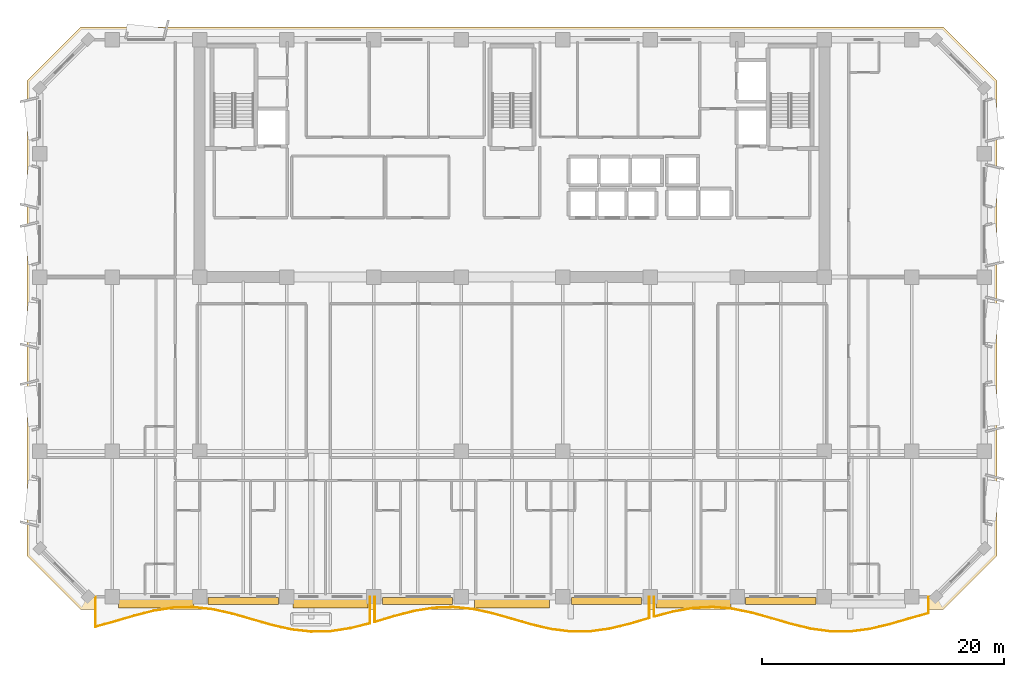
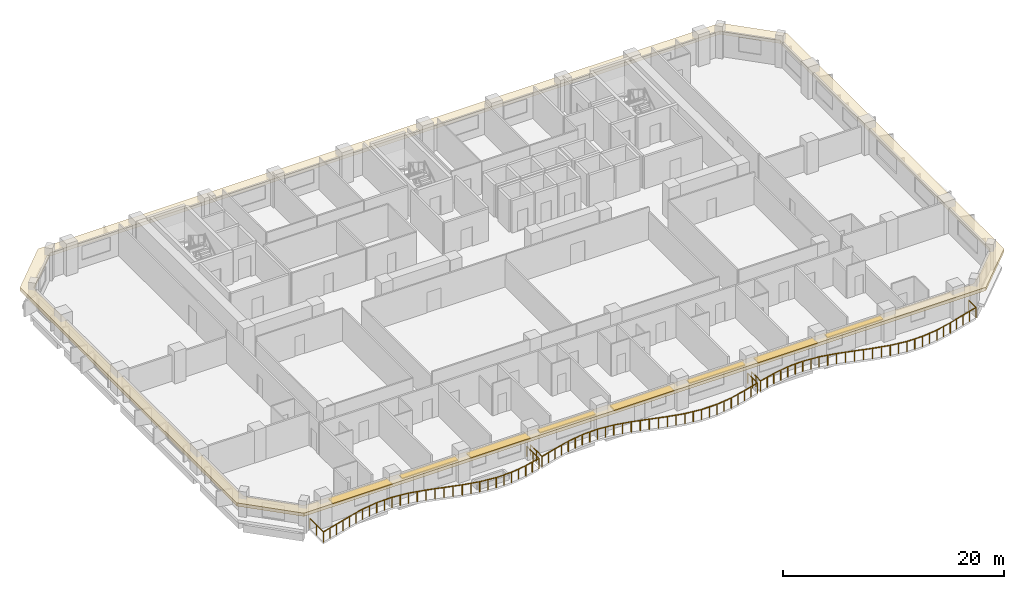
# One storey, part 11 of 15: 8 shading devices, 3 railings, 1 covering.
"""IFC4 building model written with IfcOpenShell, lengths in metres."""

from ifc_helpers import new_model, si_unit, direction, frame, origin, origin_2d, place, context, subcontext, project, spatial, polyline, rectangle, outline, extrude, material, layer, layer_set, type_object, element, save


model = new_model("IFC4")

# Units and contexts
model_context = context("Model", 3, precision=1e-05, world=origin(), true_north=direction((0.0, 1.0)))
body_context = subcontext(model_context, "Body", "Model", "MODEL_VIEW")
ifc_project = project(units=[si_unit("LENGTHUNIT", "METRE"), si_unit("AREAUNIT", "SQUARE_METRE"), si_unit("VOLUMEUNIT", "CUBIC_METRE"), si_unit("PLANEANGLEUNIT", "RADIAN"), si_unit("MASSUNIT", "GRAM", prefix="KILO")], contexts=[model_context])

# Site, building, storey
site_placement = place(None, origin())
site = spatial("IfcSite", under=ifc_project, at=site_placement, CompositionType="ELEMENT")
building_placement = place(site_placement, origin())
building = spatial("IfcBuilding", under=site, at=building_placement, Name="Kaelvorn Grand Hotel", CompositionType="ELEMENT")
storey_placement = place(building_placement, frame((0.0, 0.0, 150.550048828125)))
storey = spatial("IfcBuildingStorey", under=building, at=storey_placement, Name="L36", CompositionType="ELEMENT", Elevation=150.550048828125)

# Covering
ifc_material_1 = material(Name="Precast concrete C45/55", Category="concrete")
ifc_layer_1 = layer(ifc_material_1, 0.260009765625)
ifc_layer_set_1 = layer_set([ifc_layer_1], Name="Precast concrete C45/55")
covering_type = type_object("IfcCoveringType", Name="COV-BAND-STREAMLINE-HEAD", PredefinedType="CLADDING", material=ifc_layer_set_1)
covering_placement = place(storey_placement, frame((0.0, 0.0, 2.3798828125)))
element("IfcCovering", 1, at=covering_placement, inside=storey, type_object=covering_type, Name="L36 Streamline Moderne Wraparound Horizontal Eyebrow Band", PredefinedType="CLADDING", context=body_context, shape_type="SweptSolid", body=[
    extrude(outline(polyline([(6.389892578125, 1.949951171875), (77.610107421875, 1.949951171875), (82.050048828125, 6.389892578125), (82.050048828125, 45.610107421875), (77.610107421875, 50.050048828125), (6.389892578125, 50.050048828125), (1.949951171875, 45.610107421875), (1.949951171875, 6.389892578125), (6.389892578125, 1.949951171875)]), holes=[polyline([(7.02001953125, 3.030029296875), (76.97998046875, 3.030029296875), (80.969970703125, 7.02001953125), (80.969970703125, 44.97998046875), (76.97998046875, 48.969970703125), (7.02001953125, 48.969970703125), (3.030029296875, 44.97998046875), (3.030029296875, 7.02001953125), (7.02001953125, 3.030029296875)])]), origin(), (0.0, 0.0, 1.0), 0.360107421875),
])

# Railings
ifc_material_2 = material(Name="Stainless Steel", Category="steel")
railing_type = type_object("IfcRailingType", Name="RL-BALC-1150", PredefinedType="BALUSTRADE", material=ifc_material_2)
railing_1_placement = place(storey_placement, frame((7.60009765625, 3.0, 0.0)))
element("IfcRailing", 2, at=railing_1_placement, inside=storey, type_object=railing_type, Name="L36 Scalloped Wave Balcony Balustrade GR1-1", PredefinedType="BALUSTRADE", context=body_context, shape_type="SweptSolid", body=[
    extrude(rectangle(XDim=0.048095703125, YDim=0.048095703125, at=origin_2d()), frame((0.0, 0.0, 1.1259765625), z_axis=(0.0, -1.0, 0.0), x_axis=(1.0, 0.0, 0.0)), (0.0, 0.0, 1.0), 2.4775390625),
    extrude(rectangle(XDim=0.048095703125, YDim=0.048095703125, at=origin_2d()), frame((0.0, -2.4775390625, 1.1259765625), z_axis=(0.964706723911, 0.263326673244, 0.0), x_axis=(-0.263326673244, 0.964706723911, 0.0)), (0.0, 0.0, 1.0), 1.67822265625),
    extrude(rectangle(XDim=0.048095703125, YDim=0.048095703125, at=origin_2d()), frame((1.618896484375, -2.03564453125, 1.1259765625), z_axis=(0.959271015447, 0.282487378343, 0.0), x_axis=(-0.282487378343, 0.959271015447, 0.0)), (0.0, 0.0, 1.0), 1.68798828125),
    extrude(rectangle(XDim=0.048095703125, YDim=0.048095703125, at=origin_2d()), frame((3.238037109375, -1.558837890625, 1.1259765625), z_axis=(0.969684876745, 0.244358834119, 0.0), x_axis=(-0.244358834119, 0.969684876745, 0.0)), (0.0, 0.0, 1.0), 1.66943359375),
    extrude(rectangle(XDim=0.048095703125, YDim=0.048095703125, at=origin_2d()), frame((4.85693359375, -1.15087890625, 1.1259765625), z_axis=(0.988266376018, 0.152740204375, 0.0), x_axis=(-0.152740204375, 0.988266376018, 0.0)), (0.0, 0.0, 1.0), 1.638427734375),
    extrude(rectangle(XDim=0.048095703125, YDim=0.048095703125, at=origin_2d()), frame((6.47607421875, -0.900634765625, 1.1259765625), z_axis=(0.999719909885, 0.023666469519, 0.0), x_axis=(-0.023666469519, 0.999719909885, 0.0)), (0.0, 0.0, 1.0), 1.61962890625),
    extrude(rectangle(XDim=0.048095703125, YDim=0.048095703125, at=origin_2d()), frame((8.09521484375, -0.8623046875, 1.1259765625), z_axis=(0.993714448336, -0.111944607587, 0.0), x_axis=(0.111944607587, 0.993714448336, 0.0)), (0.0, 0.0, 1.0), 1.629150390625),
    extrude(rectangle(XDim=0.048095703125, YDim=0.048095703125, at=origin_2d()), frame((9.714111328125, -1.044677734375, 1.1259765625), z_axis=(0.975741913749, -0.218923999949, 0.0), x_axis=(0.218923999949, 0.975741913749, 0.0)), (0.0, 0.0, 1.0), 1.659423828125),
    extrude(rectangle(XDim=0.048095703125, YDim=0.048095703125, at=origin_2d()), frame((11.333251953125, -1.407958984375, 1.1259765625), z_axis=(0.961173148549, -0.275945970271, 0.0), x_axis=(0.275945970271, 0.961173148549, 0.0)), (0.0, 0.0, 1.0), 1.6845703125),
    extrude(rectangle(XDim=0.048095703125, YDim=0.048095703125, at=origin_2d()), frame((12.952392578125, -1.872802734375, 1.1259765625), z_axis=(0.961085178818, -0.276252201904, 0.0), x_axis=(0.276252201904, 0.961085178818, 0.0)), (0.0, 0.0, 1.0), 1.684326171875),
    extrude(rectangle(XDim=0.048095703125, YDim=0.048095703125, at=origin_2d()), frame((14.5712890625, -2.338134765625, 1.1259765625), z_axis=(0.975584547078, -0.219624205185, 0.0), x_axis=(0.219624205185, 0.975584547078, 0.0)), (0.0, 0.0, 1.0), 1.65966796875),
    extrude(rectangle(XDim=0.048095703125, YDim=0.048095703125, at=origin_2d()), frame((16.1904296875, -2.70263671875, 1.1259765625), z_axis=(0.993580397726, -0.113128215998, 0.0), x_axis=(0.113128215998, 0.993580397726, 0.0)), (0.0, 0.0, 1.0), 1.62939453125),
    extrude(rectangle(XDim=0.048095703125, YDim=0.048095703125, at=origin_2d()), frame((17.809326171875, -2.886962890625, 1.1259765625), z_axis=(0.999751090068, 0.022310488741, 0.0), x_axis=(-0.022310488741, 0.999751090068, 0.0)), (0.0, 0.0, 1.0), 1.61962890625),
    extrude(rectangle(XDim=0.048095703125, YDim=0.048095703125, at=origin_2d()), frame((19.428466796875, -2.850830078125, 1.1259765625), z_axis=(0.988423330197, 0.151721192723, 0.0), x_axis=(-0.151721192723, 0.988423330197, 0.0)), (0.0, 0.0, 1.0), 1.63818359375),
    extrude(rectangle(XDim=0.048095703125, YDim=0.048095703125, at=origin_2d()), frame((21.047607421875, -2.602294921875, 1.1259765625), z_axis=(0.969857916649, 0.243671133937, 0.0), x_axis=(-0.243671133937, 0.969857916649, 0.0)), (0.0, 0.0, 1.0), 1.669189453125),
    extrude(rectangle(XDim=0.048095703125, YDim=0.048095703125, at=origin_2d()), frame((22.66650390625, -2.195556640625, 1.1259765625), z_axis=(0.0, 1.0, 0.0), x_axis=(-1.0, 0.0, 0.0)), (0.0, 0.0, 1.0), 2.195556640625),
    extrude(rectangle(XDim=0.0419921875, YDim=0.0419921875, at=origin_2d()), origin(), (0.0, 0.0, 1.0), 1.101806640625),
    extrude(rectangle(XDim=0.0419921875, YDim=0.0419921875, at=origin_2d()), frame((0.0, -1.23876953125, 0.0)), (0.0, 0.0, 1.0), 1.101806640625),
    extrude(rectangle(XDim=0.0419921875, YDim=0.0419921875, at=origin_2d()), frame((0.0, -2.4775390625, 0.0)), (0.0, 0.0, 1.0), 1.101806640625),
    extrude(rectangle(XDim=0.0419921875, YDim=0.0419921875, at=origin_2d()), frame((0.8095703125, -2.256591796875, 0.0)), (0.0, 0.0, 1.0), 1.101806640625),
    extrude(rectangle(XDim=0.0419921875, YDim=0.0419921875, at=origin_2d()), frame((1.618896484375, -2.03564453125, 0.0)), (0.0, 0.0, 1.0), 1.101806640625),
    extrude(rectangle(XDim=0.0419921875, YDim=0.0419921875, at=origin_2d()), frame((2.428466796875, -1.79736328125, 0.0)), (0.0, 0.0, 1.0), 1.101806640625),
    extrude(rectangle(XDim=0.0419921875, YDim=0.0419921875, at=origin_2d()), frame((3.238037109375, -1.558837890625, 0.0)), (0.0, 0.0, 1.0), 1.101806640625),
    extrude(rectangle(XDim=0.0419921875, YDim=0.0419921875, at=origin_2d()), frame((4.04736328125, -1.35498046875, 0.0)), (0.0, 0.0, 1.0), 1.101806640625),
    extrude(rectangle(XDim=0.0419921875, YDim=0.0419921875, at=origin_2d()), frame((4.85693359375, -1.15087890625, 0.0)), (0.0, 0.0, 1.0), 1.101806640625),
    extrude(rectangle(XDim=0.0419921875, YDim=0.0419921875, at=origin_2d()), frame((5.66650390625, -1.02587890625, 0.0)), (0.0, 0.0, 1.0), 1.101806640625),
    extrude(rectangle(XDim=0.0419921875, YDim=0.0419921875, at=origin_2d()), frame((6.47607421875, -0.900634765625, 0.0)), (0.0, 0.0, 1.0), 1.101806640625),
    extrude(rectangle(XDim=0.0419921875, YDim=0.0419921875, at=origin_2d()), frame((7.28564453125, -0.88134765625, 0.0)), (0.0, 0.0, 1.0), 1.101806640625),
    extrude(rectangle(XDim=0.0419921875, YDim=0.0419921875, at=origin_2d()), frame((8.09521484375, -0.8623046875, 0.0)), (0.0, 0.0, 1.0), 1.101806640625),
    extrude(rectangle(XDim=0.0419921875, YDim=0.0419921875, at=origin_2d()), frame((8.90478515625, -0.95361328125, 0.0)), (0.0, 0.0, 1.0), 1.101806640625),
    extrude(rectangle(XDim=0.0419921875, YDim=0.0419921875, at=origin_2d()), frame((9.714111328125, -1.044677734375, 0.0)), (0.0, 0.0, 1.0), 1.101806640625),
    extrude(rectangle(XDim=0.0419921875, YDim=0.0419921875, at=origin_2d()), frame((10.523681640625, -1.226318359375, 0.0)), (0.0, 0.0, 1.0), 1.101806640625),
    extrude(rectangle(XDim=0.0419921875, YDim=0.0419921875, at=origin_2d()), frame((11.333251953125, -1.407958984375, 0.0)), (0.0, 0.0, 1.0), 1.101806640625),
    extrude(rectangle(XDim=0.0419921875, YDim=0.0419921875, at=origin_2d()), frame((12.142822265625, -1.640380859375, 0.0)), (0.0, 0.0, 1.0), 1.101806640625),
    extrude(rectangle(XDim=0.0419921875, YDim=0.0419921875, at=origin_2d()), frame((12.952392578125, -1.872802734375, 0.0)), (0.0, 0.0, 1.0), 1.101806640625),
    extrude(rectangle(XDim=0.0419921875, YDim=0.0419921875, at=origin_2d()), frame((13.76171875, -2.10546875, 0.0)), (0.0, 0.0, 1.0), 1.101806640625),
    extrude(rectangle(XDim=0.0419921875, YDim=0.0419921875, at=origin_2d()), frame((14.5712890625, -2.338134765625, 0.0)), (0.0, 0.0, 1.0), 1.101806640625),
    extrude(rectangle(XDim=0.0419921875, YDim=0.0419921875, at=origin_2d()), frame((15.380859375, -2.5205078125, 0.0)), (0.0, 0.0, 1.0), 1.101806640625),
    extrude(rectangle(XDim=0.0419921875, YDim=0.0419921875, at=origin_2d()), frame((16.1904296875, -2.70263671875, 0.0)), (0.0, 0.0, 1.0), 1.101806640625),
    extrude(rectangle(XDim=0.0419921875, YDim=0.0419921875, at=origin_2d()), frame((17.0, -2.794921875, 0.0)), (0.0, 0.0, 1.0), 1.101806640625),
    extrude(rectangle(XDim=0.0419921875, YDim=0.0419921875, at=origin_2d()), frame((17.809326171875, -2.886962890625, 0.0)), (0.0, 0.0, 1.0), 1.101806640625),
    extrude(rectangle(XDim=0.0419921875, YDim=0.0419921875, at=origin_2d()), frame((18.618896484375, -2.868896484375, 0.0)), (0.0, 0.0, 1.0), 1.101806640625),
    extrude(rectangle(XDim=0.0419921875, YDim=0.0419921875, at=origin_2d()), frame((19.428466796875, -2.850830078125, 0.0)), (0.0, 0.0, 1.0), 1.101806640625),
    extrude(rectangle(XDim=0.0419921875, YDim=0.0419921875, at=origin_2d()), frame((20.238037109375, -2.7265625, 0.0)), (0.0, 0.0, 1.0), 1.101806640625),
    extrude(rectangle(XDim=0.0419921875, YDim=0.0419921875, at=origin_2d()), frame((21.047607421875, -2.602294921875, 0.0)), (0.0, 0.0, 1.0), 1.101806640625),
    extrude(rectangle(XDim=0.0419921875, YDim=0.0419921875, at=origin_2d()), frame((21.85693359375, -2.39892578125, 0.0)), (0.0, 0.0, 1.0), 1.101806640625),
    extrude(rectangle(XDim=0.0419921875, YDim=0.0419921875, at=origin_2d()), frame((22.66650390625, -2.195556640625, 0.0)), (0.0, 0.0, 1.0), 1.101806640625),
    extrude(rectangle(XDim=0.0419921875, YDim=0.0419921875, at=origin_2d()), frame((22.66650390625, -1.09765625, 0.0)), (0.0, 0.0, 1.0), 1.101806640625),
    extrude(rectangle(XDim=0.0419921875, YDim=0.0419921875, at=origin_2d()), frame((22.66650390625, 0.0, 0.0)), (0.0, 0.0, 1.0), 1.101806640625),
])
railing_2_placement = place(storey_placement, frame((30.666748046875, 3.0, 0.0)))
element("IfcRailing", 3, at=railing_2_placement, inside=storey, type_object=railing_type, Name="L36 Scalloped Wave Balcony Balustrade GR1-2", PredefinedType="BALUSTRADE", context=body_context, shape_type="SweptSolid", body=[
    extrude(rectangle(XDim=0.048095703125, YDim=0.048095703125, at=origin_2d()), frame((0.0, 0.0, 1.1259765625), z_axis=(0.0, -1.0, 0.0), x_axis=(1.0, 0.0, 0.0)), (0.0, 0.0, 1.0), 2.080322265625),
    extrude(rectangle(XDim=0.048095703125, YDim=0.048095703125, at=origin_2d()), frame((0.0, -2.080322265625, 1.1259765625), z_axis=(0.959063249993, 0.283191953474, 0.0), x_axis=(-0.283191953474, 0.959063249993, 0.0)), (0.0, 0.0, 1.0), 1.68798828125),
    extrude(rectangle(XDim=0.048095703125, YDim=0.048095703125, at=origin_2d()), frame((1.618896484375, -1.602294921875, 1.1259765625), z_axis=(0.968153012553, 0.250359230478, 0.0), x_axis=(-0.250359230478, 0.968153012553, 0.0)), (0.0, 0.0, 1.0), 1.67236328125),
    extrude(rectangle(XDim=0.048095703125, YDim=0.048095703125, at=origin_2d()), frame((3.238037109375, -1.18359375, 1.1259765625), z_axis=(0.986570255456, 0.163337475949, 0.0), x_axis=(-0.163337475949, 0.986570255456, 0.0)), (0.0, 0.0, 1.0), 1.64111328125),
    extrude(rectangle(XDim=0.048095703125, YDim=0.048095703125, at=origin_2d()), frame((4.857177734375, -0.91552734375, 1.1259765625), z_axis=(0.999334712879, 0.036470969766, 0.0), x_axis=(-0.036470969766, 0.999334712879, 0.0)), (0.0, 0.0, 1.0), 1.619873046875),
    extrude(rectangle(XDim=0.048095703125, YDim=0.048095703125, at=origin_2d()), frame((6.47607421875, -0.8564453125, 1.1259765625), z_axis=(0.994995510951, -0.099919633639, 0.0), x_axis=(0.099919633639, 0.994995510951, 0.0)), (0.0, 0.0, 1.0), 1.627197265625),
    extrude(rectangle(XDim=0.048095703125, YDim=0.048095703125, at=origin_2d()), frame((8.09521484375, -1.01904296875, 1.1259765625), z_axis=(0.977557965922, -0.210666616393, 0.0), x_axis=(0.210666616393, 0.977557965922, 0.0)), (0.0, 0.0, 1.0), 1.656005859375),
    extrude(rectangle(XDim=0.048095703125, YDim=0.048095703125, at=origin_2d()), frame((9.714111328125, -1.367919921875, 1.1259765625), z_axis=(0.962015046514, -0.272996429062, 0.0), x_axis=(0.272996429062, 0.962015046514, 0.0)), (0.0, 0.0, 1.0), 1.68310546875),
    extrude(rectangle(XDim=0.048095703125, YDim=0.048095703125, at=origin_2d()), frame((11.333251953125, -1.827392578125, 1.1259765625), z_axis=(0.960401242625, -0.278620625876, 0.0), x_axis=(0.278620625876, 0.960401242625, 0.0)), (0.0, 0.0, 1.0), 1.685791015625),
    extrude(rectangle(XDim=0.048095703125, YDim=0.048095703125, at=origin_2d()), frame((12.952392578125, -2.297119140625, 1.1259765625), z_axis=(0.973816289073, -0.22733639202, 0.0), x_axis=(0.22733639202, 0.973816289073, 0.0)), (0.0, 0.0, 1.0), 1.662353515625),
    extrude(rectangle(XDim=0.048095703125, YDim=0.048095703125, at=origin_2d()), frame((14.5712890625, -2.675048828125, 1.1259765625), z_axis=(0.992185538276, -0.124771221188, 0.0), x_axis=(0.124771221188, 0.992185538276, 0.0)), (0.0, 0.0, 1.0), 1.6318359375),
    extrude(rectangle(XDim=0.048095703125, YDim=0.048095703125, at=origin_2d()), frame((16.1904296875, -2.878662109375, 1.1259765625), z_axis=(0.9999576899, 0.009198826585, 0.0), x_axis=(-0.009198826585, 0.9999576899, 0.0)), (0.0, 0.0, 1.0), 1.618896484375),
    extrude(rectangle(XDim=0.048095703125, YDim=0.048095703125, at=origin_2d()), frame((17.809326171875, -2.86376953125, 1.1259765625), z_axis=(0.9900626322, 0.140627110907, 0.0), x_axis=(-0.140627110907, 0.9900626322, 0.0)), (0.0, 0.0, 1.0), 1.635498046875),
    extrude(rectangle(XDim=0.048095703125, YDim=0.048095703125, at=origin_2d()), frame((19.428466796875, -2.6337890625, 1.1259765625), z_axis=(0.971438035801, 0.237293368214, 0.0), x_axis=(-0.237293368214, 0.971438035801, 0.0)), (0.0, 0.0, 1.0), 1.666748046875),
    extrude(rectangle(XDim=0.048095703125, YDim=0.048095703125, at=origin_2d()), frame((21.047607421875, -2.23828125, 1.1259765625), z_axis=(0.959650766176, 0.281194606949, 0.0), x_axis=(-0.281194606949, 0.959650766176, 0.0)), (0.0, 0.0, 1.0), 1.68701171875),
    extrude(rectangle(XDim=0.048095703125, YDim=0.048095703125, at=origin_2d()), frame((22.66650390625, -1.763916015625, 1.1259765625), z_axis=(0.0, 1.0, 0.0), x_axis=(-1.0, 0.0, 0.0)), (0.0, 0.0, 1.0), 1.763916015625),
    extrude(rectangle(XDim=0.0419921875, YDim=0.0419921875, at=origin_2d()), origin(), (0.0, 0.0, 1.0), 1.101806640625),
    extrude(rectangle(XDim=0.0419921875, YDim=0.0419921875, at=origin_2d()), frame((0.0, -1.0400390625, 0.0)), (0.0, 0.0, 1.0), 1.101806640625),
    extrude(rectangle(XDim=0.0419921875, YDim=0.0419921875, at=origin_2d()), frame((0.0, -2.080322265625, 0.0)), (0.0, 0.0, 1.0), 1.101806640625),
    extrude(rectangle(XDim=0.0419921875, YDim=0.0419921875, at=origin_2d()), frame((0.8095703125, -1.84130859375, 0.0)), (0.0, 0.0, 1.0), 1.101806640625),
    extrude(rectangle(XDim=0.0419921875, YDim=0.0419921875, at=origin_2d()), frame((1.618896484375, -1.602294921875, 0.0)), (0.0, 0.0, 1.0), 1.101806640625),
    extrude(rectangle(XDim=0.0419921875, YDim=0.0419921875, at=origin_2d()), frame((2.428466796875, -1.39306640625, 0.0)), (0.0, 0.0, 1.0), 1.101806640625),
    extrude(rectangle(XDim=0.0419921875, YDim=0.0419921875, at=origin_2d()), frame((3.238037109375, -1.18359375, 0.0)), (0.0, 0.0, 1.0), 1.101806640625),
    extrude(rectangle(XDim=0.0419921875, YDim=0.0419921875, at=origin_2d()), frame((4.047607421875, -1.049560546875, 0.0)), (0.0, 0.0, 1.0), 1.101806640625),
    extrude(rectangle(XDim=0.0419921875, YDim=0.0419921875, at=origin_2d()), frame((4.857177734375, -0.91552734375, 0.0)), (0.0, 0.0, 1.0), 1.101806640625),
    extrude(rectangle(XDim=0.0419921875, YDim=0.0419921875, at=origin_2d()), frame((5.66650390625, -0.885986328125, 0.0)), (0.0, 0.0, 1.0), 1.101806640625),
    extrude(rectangle(XDim=0.0419921875, YDim=0.0419921875, at=origin_2d()), frame((6.47607421875, -0.8564453125, 0.0)), (0.0, 0.0, 1.0), 1.101806640625),
    extrude(rectangle(XDim=0.0419921875, YDim=0.0419921875, at=origin_2d()), frame((7.28564453125, -0.937744140625, 0.0)), (0.0, 0.0, 1.0), 1.101806640625),
    extrude(rectangle(XDim=0.0419921875, YDim=0.0419921875, at=origin_2d()), frame((8.09521484375, -1.01904296875, 0.0)), (0.0, 0.0, 1.0), 1.101806640625),
    extrude(rectangle(XDim=0.0419921875, YDim=0.0419921875, at=origin_2d()), frame((8.90478515625, -1.193359375, 0.0)), (0.0, 0.0, 1.0), 1.101806640625),
    extrude(rectangle(XDim=0.0419921875, YDim=0.0419921875, at=origin_2d()), frame((9.714111328125, -1.367919921875, 0.0)), (0.0, 0.0, 1.0), 1.101806640625),
    extrude(rectangle(XDim=0.0419921875, YDim=0.0419921875, at=origin_2d()), frame((10.523681640625, -1.59765625, 0.0)), (0.0, 0.0, 1.0), 1.101806640625),
    extrude(rectangle(XDim=0.0419921875, YDim=0.0419921875, at=origin_2d()), frame((11.333251953125, -1.827392578125, 0.0)), (0.0, 0.0, 1.0), 1.101806640625),
    extrude(rectangle(XDim=0.0419921875, YDim=0.0419921875, at=origin_2d()), frame((12.142822265625, -2.062255859375, 0.0)), (0.0, 0.0, 1.0), 1.101806640625),
    extrude(rectangle(XDim=0.0419921875, YDim=0.0419921875, at=origin_2d()), frame((12.952392578125, -2.297119140625, 0.0)), (0.0, 0.0, 1.0), 1.101806640625),
    extrude(rectangle(XDim=0.0419921875, YDim=0.0419921875, at=origin_2d()), frame((13.76171875, -2.486083984375, 0.0)), (0.0, 0.0, 1.0), 1.101806640625),
    extrude(rectangle(XDim=0.0419921875, YDim=0.0419921875, at=origin_2d()), frame((14.5712890625, -2.675048828125, 0.0)), (0.0, 0.0, 1.0), 1.101806640625),
    extrude(rectangle(XDim=0.0419921875, YDim=0.0419921875, at=origin_2d()), frame((15.380859375, -2.77685546875, 0.0)), (0.0, 0.0, 1.0), 1.101806640625),
    extrude(rectangle(XDim=0.0419921875, YDim=0.0419921875, at=origin_2d()), frame((16.1904296875, -2.878662109375, 0.0)), (0.0, 0.0, 1.0), 1.101806640625),
    extrude(rectangle(XDim=0.0419921875, YDim=0.0419921875, at=origin_2d()), frame((17.0, -2.87109375, 0.0)), (0.0, 0.0, 1.0), 1.101806640625),
    extrude(rectangle(XDim=0.0419921875, YDim=0.0419921875, at=origin_2d()), frame((17.809326171875, -2.86376953125, 0.0)), (0.0, 0.0, 1.0), 1.101806640625),
    extrude(rectangle(XDim=0.0419921875, YDim=0.0419921875, at=origin_2d()), frame((18.618896484375, -2.748779296875, 0.0)), (0.0, 0.0, 1.0), 1.101806640625),
    extrude(rectangle(XDim=0.0419921875, YDim=0.0419921875, at=origin_2d()), frame((19.428466796875, -2.6337890625, 0.0)), (0.0, 0.0, 1.0), 1.101806640625),
    extrude(rectangle(XDim=0.0419921875, YDim=0.0419921875, at=origin_2d()), frame((20.238037109375, -2.43603515625, 0.0)), (0.0, 0.0, 1.0), 1.101806640625),
    extrude(rectangle(XDim=0.0419921875, YDim=0.0419921875, at=origin_2d()), frame((21.047607421875, -2.23828125, 0.0)), (0.0, 0.0, 1.0), 1.101806640625),
    extrude(rectangle(XDim=0.0419921875, YDim=0.0419921875, at=origin_2d()), frame((21.85693359375, -2.0009765625, 0.0)), (0.0, 0.0, 1.0), 1.101806640625),
    extrude(rectangle(XDim=0.0419921875, YDim=0.0419921875, at=origin_2d()), frame((22.66650390625, -1.763916015625, 0.0)), (0.0, 0.0, 1.0), 1.101806640625),
    extrude(rectangle(XDim=0.0419921875, YDim=0.0419921875, at=origin_2d()), frame((22.66650390625, -0.8818359375, 0.0)), (0.0, 0.0, 1.0), 1.101806640625),
    extrude(rectangle(XDim=0.0419921875, YDim=0.0419921875, at=origin_2d()), frame((22.66650390625, 0.0, 0.0)), (0.0, 0.0, 1.0), 1.101806640625),
])
railing_3_placement = place(storey_placement, frame((53.7333984375, 3.0, 0.0)))
element("IfcRailing", 4, at=railing_3_placement, inside=storey, type_object=railing_type, Name="L36 Scalloped Wave Balcony Balustrade GR1-3", PredefinedType="BALUSTRADE", context=body_context, shape_type="SweptSolid", body=[
    extrude(rectangle(XDim=0.048095703125, YDim=0.048095703125, at=origin_2d()), frame((0.0, 0.0, 1.1259765625), z_axis=(0.0, -1.0, 0.0), x_axis=(1.0, 0.0, 0.0)), (0.0, 0.0, 1.0), 1.646240234375),
    extrude(rectangle(XDim=0.048095703125, YDim=0.048095703125, at=origin_2d()), frame((0.0, -1.646240234375, 1.1259765625), z_axis=(0.966714773479, 0.255856496374, 0.0), x_axis=(-0.255856496374, 0.966714773479, 0.0)), (0.0, 0.0, 1.0), 1.674560546875),
    extrude(rectangle(XDim=0.048095703125, YDim=0.048095703125, at=origin_2d()), frame((1.618896484375, -1.2177734375, 1.1259765625), z_axis=(0.984817922582, 0.17359049329, 0.0), x_axis=(-0.17359049329, 0.984817922582, 0.0)), (0.0, 0.0, 1.0), 1.64404296875),
    extrude(rectangle(XDim=0.048095703125, YDim=0.048095703125, at=origin_2d()), frame((3.238037109375, -0.932373046875, 1.1259765625), z_axis=(0.998779232858, 0.049396801625, 0.0), x_axis=(-0.049396801625, 0.998779232858, 0.0)), (0.0, 0.0, 1.0), 1.62109375),
    extrude(rectangle(XDim=0.048095703125, YDim=0.048095703125, at=origin_2d()), frame((4.857177734375, -0.852294921875, 1.1259765625), z_axis=(0.996144150132, -0.087731591566, 0.0), x_axis=(0.087731591566, 0.996144150132, 0.0)), (0.0, 0.0, 1.0), 1.625244140625),
    extrude(rectangle(XDim=0.048095703125, YDim=0.048095703125, at=origin_2d()), frame((6.47607421875, -0.994873046875, 1.1259765625), z_axis=(0.979381482603, -0.202019582057, 0.0), x_axis=(0.202019582057, 0.979381482603, 0.0)), (0.0, 0.0, 1.0), 1.6533203125),
    extrude(rectangle(XDim=0.048095703125, YDim=0.048095703125, at=origin_2d()), frame((8.09521484375, -1.328857421875, 1.1259765625), z_axis=(0.962989656047, -0.269538350418, 0.0), x_axis=(0.269538350418, 0.962989656047, 0.0)), (0.0, 0.0, 1.0), 1.68115234375),
    extrude(rectangle(XDim=0.048095703125, YDim=0.048095703125, at=origin_2d()), frame((9.714111328125, -1.781982421875, 1.1259765625), z_axis=(0.959818254788, -0.280622375759, 0.0), x_axis=(0.280622375759, 0.959818254788, 0.0)), (0.0, 0.0, 1.0), 1.68701171875),
    extrude(rectangle(XDim=0.048095703125, YDim=0.048095703125, at=origin_2d()), frame((11.333251953125, -2.25537109375, 1.1259765625), z_axis=(0.972143279615, -0.234387379992, 0.0), x_axis=(0.234387379992, 0.972143279615, 0.0)), (0.0, 0.0, 1.0), 1.66552734375),
    extrude(rectangle(XDim=0.048095703125, YDim=0.048095703125, at=origin_2d()), frame((12.952392578125, -2.645751953125, 1.1259765625), z_axis=(0.990674050906, -0.136253164594, 0.0), x_axis=(0.136253164594, 0.990674050906, 0.0)), (0.0, 0.0, 1.0), 1.634033203125),
    extrude(rectangle(XDim=0.048095703125, YDim=0.048095703125, at=origin_2d()), frame((14.5712890625, -2.868408203125, 1.1259765625), z_axis=(0.999992315375, -0.003920355881, 0.0), x_axis=(0.003920355881, 0.999992315375, 0.0)), (0.0, 0.0, 1.0), 1.619140625),
    extrude(rectangle(XDim=0.048095703125, YDim=0.048095703125, at=origin_2d()), frame((16.1904296875, -2.874755859375, 1.1259765625), z_axis=(0.991601244907, 0.129332792045, 0.0), x_axis=(-0.129332792045, 0.991601244907, 0.0)), (0.0, 0.0, 1.0), 1.6328125),
    extrude(rectangle(XDim=0.048095703125, YDim=0.048095703125, at=origin_2d()), frame((17.8095703125, -2.66357421875, 1.1259765625), z_axis=(0.973129632445, 0.230257938969, 0.0), x_axis=(-0.230257938969, 0.973129632445, 0.0)), (0.0, 0.0, 1.0), 1.66357421875),
    extrude(rectangle(XDim=0.048095703125, YDim=0.048095703125, at=origin_2d()), frame((19.428466796875, -2.280517578125, 1.1259765625), z_axis=(0.960129612925, 0.279555229578, 0.0), x_axis=(-0.279555229578, 0.960129612925, 0.0)), (0.0, 0.0, 1.0), 1.686279296875),
    extrude(rectangle(XDim=0.048095703125, YDim=0.048095703125, at=origin_2d()), frame((21.047607421875, -1.80908203125, 1.1259765625), z_axis=(0.962422446372, 0.271556687854, 0.0), x_axis=(-0.271556687854, 0.962422446372, 0.0)), (0.0, 0.0, 1.0), 1.68212890625),
    extrude(rectangle(XDim=0.048095703125, YDim=0.048095703125, at=origin_2d()), frame((22.66650390625, -1.352294921875, 1.1259765625), z_axis=(0.0, 1.0, 0.0), x_axis=(-1.0, 0.0, 0.0)), (0.0, 0.0, 1.0), 1.352294921875),
    extrude(rectangle(XDim=0.0419921875, YDim=0.0419921875, at=origin_2d()), origin(), (0.0, 0.0, 1.0), 1.101806640625),
    extrude(rectangle(XDim=0.0419921875, YDim=0.0419921875, at=origin_2d()), frame((0.0, -0.8232421875, 0.0)), (0.0, 0.0, 1.0), 1.101806640625),
    extrude(rectangle(XDim=0.0419921875, YDim=0.0419921875, at=origin_2d()), frame((0.0, -1.646240234375, 0.0)), (0.0, 0.0, 1.0), 1.101806640625),
    extrude(rectangle(XDim=0.0419921875, YDim=0.0419921875, at=origin_2d()), frame((0.8095703125, -1.43212890625, 0.0)), (0.0, 0.0, 1.0), 1.101806640625),
    extrude(rectangle(XDim=0.0419921875, YDim=0.0419921875, at=origin_2d()), frame((1.618896484375, -1.2177734375, 0.0)), (0.0, 0.0, 1.0), 1.101806640625),
    extrude(rectangle(XDim=0.0419921875, YDim=0.0419921875, at=origin_2d()), frame((2.428466796875, -1.0751953125, 0.0)), (0.0, 0.0, 1.0), 1.101806640625),
    extrude(rectangle(XDim=0.0419921875, YDim=0.0419921875, at=origin_2d()), frame((3.238037109375, -0.932373046875, 0.0)), (0.0, 0.0, 1.0), 1.101806640625),
    extrude(rectangle(XDim=0.0419921875, YDim=0.0419921875, at=origin_2d()), frame((4.047607421875, -0.892333984375, 0.0)), (0.0, 0.0, 1.0), 1.101806640625),
    extrude(rectangle(XDim=0.0419921875, YDim=0.0419921875, at=origin_2d()), frame((4.857177734375, -0.852294921875, 0.0)), (0.0, 0.0, 1.0), 1.101806640625),
    extrude(rectangle(XDim=0.0419921875, YDim=0.0419921875, at=origin_2d()), frame((5.66650390625, -0.923583984375, 0.0)), (0.0, 0.0, 1.0), 1.101806640625),
    extrude(rectangle(XDim=0.0419921875, YDim=0.0419921875, at=origin_2d()), frame((6.47607421875, -0.994873046875, 0.0)), (0.0, 0.0, 1.0), 1.101806640625),
    extrude(rectangle(XDim=0.0419921875, YDim=0.0419921875, at=origin_2d()), frame((7.28564453125, -1.161865234375, 0.0)), (0.0, 0.0, 1.0), 1.101806640625),
    extrude(rectangle(XDim=0.0419921875, YDim=0.0419921875, at=origin_2d()), frame((8.09521484375, -1.328857421875, 0.0)), (0.0, 0.0, 1.0), 1.101806640625),
    extrude(rectangle(XDim=0.0419921875, YDim=0.0419921875, at=origin_2d()), frame((8.90478515625, -1.555419921875, 0.0)), (0.0, 0.0, 1.0), 1.101806640625),
    extrude(rectangle(XDim=0.0419921875, YDim=0.0419921875, at=origin_2d()), frame((9.714111328125, -1.781982421875, 0.0)), (0.0, 0.0, 1.0), 1.101806640625),
    extrude(rectangle(XDim=0.0419921875, YDim=0.0419921875, at=origin_2d()), frame((10.523681640625, -2.0185546875, 0.0)), (0.0, 0.0, 1.0), 1.101806640625),
    extrude(rectangle(XDim=0.0419921875, YDim=0.0419921875, at=origin_2d()), frame((11.333251953125, -2.25537109375, 0.0)), (0.0, 0.0, 1.0), 1.101806640625),
    extrude(rectangle(XDim=0.0419921875, YDim=0.0419921875, at=origin_2d()), frame((12.142822265625, -2.45068359375, 0.0)), (0.0, 0.0, 1.0), 1.101806640625),
    extrude(rectangle(XDim=0.0419921875, YDim=0.0419921875, at=origin_2d()), frame((12.952392578125, -2.645751953125, 0.0)), (0.0, 0.0, 1.0), 1.101806640625),
    extrude(rectangle(XDim=0.0419921875, YDim=0.0419921875, at=origin_2d()), frame((13.76171875, -2.757080078125, 0.0)), (0.0, 0.0, 1.0), 1.101806640625),
    extrude(rectangle(XDim=0.0419921875, YDim=0.0419921875, at=origin_2d()), frame((14.5712890625, -2.868408203125, 0.0)), (0.0, 0.0, 1.0), 1.101806640625),
    extrude(rectangle(XDim=0.0419921875, YDim=0.0419921875, at=origin_2d()), frame((15.380859375, -2.87158203125, 0.0)), (0.0, 0.0, 1.0), 1.101806640625),
    extrude(rectangle(XDim=0.0419921875, YDim=0.0419921875, at=origin_2d()), frame((16.1904296875, -2.874755859375, 0.0)), (0.0, 0.0, 1.0), 1.101806640625),
    extrude(rectangle(XDim=0.0419921875, YDim=0.0419921875, at=origin_2d()), frame((17.0, -2.76904296875, 0.0)), (0.0, 0.0, 1.0), 1.101806640625),
    extrude(rectangle(XDim=0.0419921875, YDim=0.0419921875, at=origin_2d()), frame((17.8095703125, -2.66357421875, 0.0)), (0.0, 0.0, 1.0), 1.101806640625),
    extrude(rectangle(XDim=0.0419921875, YDim=0.0419921875, at=origin_2d()), frame((18.619140625, -2.47216796875, 0.0)), (0.0, 0.0, 1.0), 1.101806640625),
    extrude(rectangle(XDim=0.0419921875, YDim=0.0419921875, at=origin_2d()), frame((19.428466796875, -2.280517578125, 0.0)), (0.0, 0.0, 1.0), 1.101806640625),
    extrude(rectangle(XDim=0.0419921875, YDim=0.0419921875, at=origin_2d()), frame((20.238037109375, -2.044921875, 0.0)), (0.0, 0.0, 1.0), 1.101806640625),
    extrude(rectangle(XDim=0.0419921875, YDim=0.0419921875, at=origin_2d()), frame((21.047607421875, -1.80908203125, 0.0)), (0.0, 0.0, 1.0), 1.101806640625),
    extrude(rectangle(XDim=0.0419921875, YDim=0.0419921875, at=origin_2d()), frame((21.85693359375, -1.58056640625, 0.0)), (0.0, 0.0, 1.0), 1.101806640625),
    extrude(rectangle(XDim=0.0419921875, YDim=0.0419921875, at=origin_2d()), frame((22.66650390625, -1.352294921875, 0.0)), (0.0, 0.0, 1.0), 1.101806640625),
    extrude(rectangle(XDim=0.0419921875, YDim=0.0419921875, at=origin_2d()), frame((22.66650390625, 0.0, 0.0)), (0.0, 0.0, 1.0), 1.101806640625),
])

# Shading devices
ifc_layer_2 = layer(ifc_material_1, 0.1201171875)
ifc_layer_set_2 = layer_set([ifc_layer_2], Name="Precast concrete C45/55")
shading_device_type_1 = type_object("IfcShadingDeviceType", Name="SHD-SUNSHADE-550", PredefinedType="USERDEFINED", material=ifc_layer_set_2)
for number, where, z_axis, x_axis, name in (
    (5, (19.800048828125, 2.64501953125, 2.559814453125), (0.0, 0.0, 1.0), (1.0, 0.0, 0.0), "L36 Horizontal Concrete Sunshade Band SS-03"),
    (6, (34.199951171875, 2.64501953125, 2.559814453125), (0.0, 0.0, 1.0), (1.0, 0.0, 0.0), "L36 Horizontal Concrete Sunshade Band SS-05"),
    (7, (49.800048828125, 2.64501953125, 2.559814453125), (0.0, 0.0, 1.0), (1.0, 0.0, 0.0), "L36 Horizontal Concrete Sunshade Band SS-07"),
    (8, (64.199951171875, 2.64501953125, 2.559814453125), (0.0, 0.0, 1.0), (1.0, 0.0, 0.0), "L36 Horizontal Concrete Sunshade Band SS-09"),
):
    element("IfcShadingDevice", number, at=place(storey_placement, frame(where, z_axis=z_axis, x_axis=x_axis)), inside=storey, type_object=shading_device_type_1, Name=name, ObjectType="SUNSHADE", PredefinedType="USERDEFINED", context=body_context, shape_type="SweptSolid", body=[
        extrude(rectangle(XDim=5.800048828125, YDim=0.550048828125, at=origin_2d()), origin(), (0.0, 0.0, 1.0), 0.1201171875),
    ])
ifc_layer_3 = layer(ifc_material_1, 0.139892578125)
ifc_layer_set_3 = layer_set([ifc_layer_3], Name="Precast concrete C45/55")
shading_device_type_2 = type_object("IfcShadingDeviceType", Name="SHD-SUNSHADE-850", PredefinedType="USERDEFINED", material=ifc_layer_set_3)
for number, where, z_axis, x_axis, name in (
    (9, (12.60009765625, 2.4951171875, 2.5498046875), (0.0, 0.0, 1.0), (1.0, 0.0, 0.0), "L36 Horizontal Concrete Sunshade Band SS-02"),
    (10, (27.0, 2.4951171875, 2.5498046875), (0.0, 0.0, 1.0), (1.0, 0.0, 0.0), "L36 Horizontal Concrete Sunshade Band SS-04"),
    (11, (42.0, 2.4951171875, 2.5498046875), (0.0, 0.0, 1.0), (1.0, 0.0, 0.0), "L36 Horizontal Concrete Sunshade Band SS-06"),
    (12, (57.0, 2.4951171875, 2.5498046875), (0.0, 0.0, 1.0), (1.0, 0.0, 0.0), "L36 Horizontal Concrete Sunshade Band SS-08"),
):
    element("IfcShadingDevice", number, at=place(storey_placement, frame(where, z_axis=z_axis, x_axis=x_axis)), inside=storey, type_object=shading_device_type_2, Name=name, ObjectType="SUNSHADE", PredefinedType="USERDEFINED", context=body_context, shape_type="SweptSolid", body=[
        extrude(rectangle(XDim=6.199951171875, YDim=0.85009765625, at=origin_2d()), origin(), (0.0, 0.0, 1.0), 0.139892578125),
    ])

save(model, "model.ifc")
